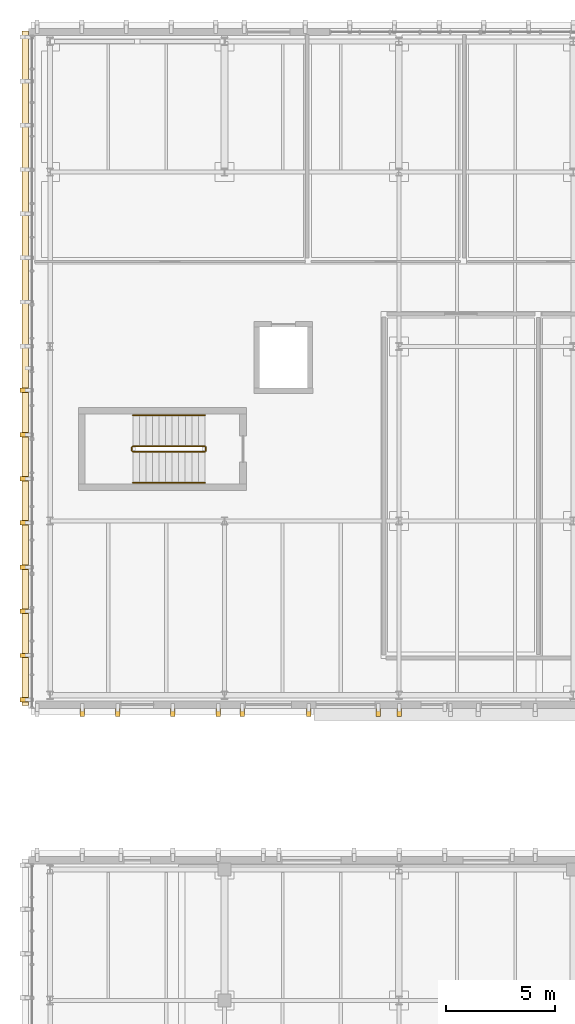
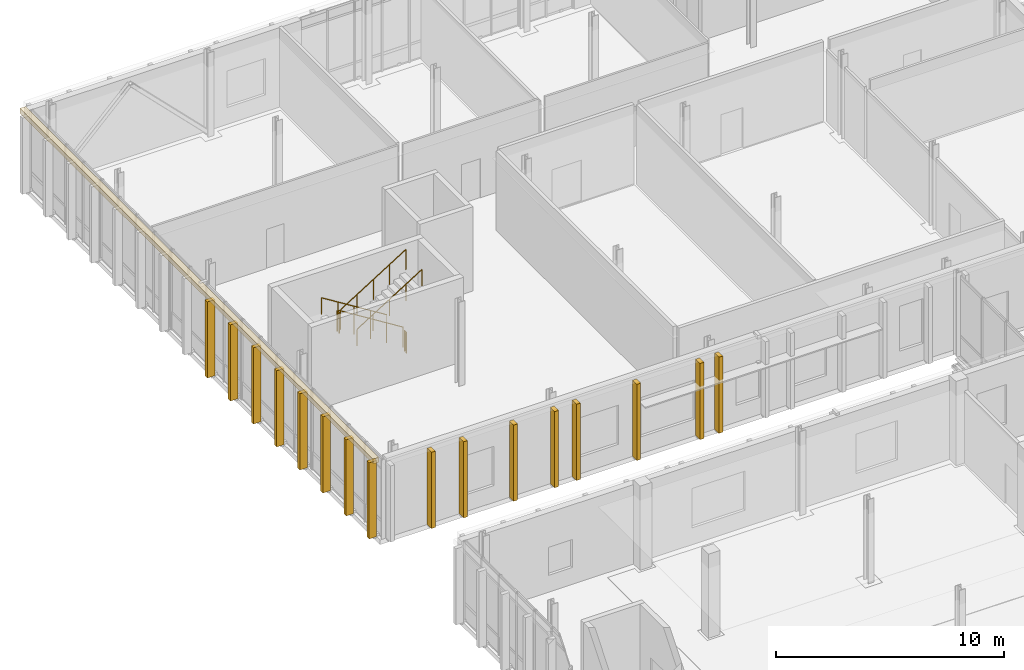
# One storey, part 80 of 86: 17 coverings, 6 railings.
"""IFC4 building model written with IfcOpenShell, lengths in metres."""

import ifcopenshell
import ifcopenshell.guid

model = None  # the IFC model being written
_history = None  # IfcOwnerHistory: only IFC2X3 demands one
_inside = {}  # id of a spatial element -> (the spatial element, [elements in it])
_under = {}  # id of a project, library or spatial element -> (it, [spatial elements below it])
_declared = {}  # id of a project -> (the project, [libraries it declares])
_typed = {}  # id of a type object -> (the type object, [elements of that type])
_made_of = {}  # id of a material, layer set ... -> (it, [elements and type objects made of it])


def new_model(schema):
    """Start an empty IFC model of exactly this schema.

    Asked for "IFC4X3", IfcOpenShell would pick the latest addendum, in which some entities
    have other attributes; the version numbers below select the first issue.
    IFC2X3 requires an IfcOwnerHistory on every rooted entity: one is made here for all.
    """
    global model, _history
    if schema == "IFC4X3":
        model = ifcopenshell.file(schema_version=(4, 3, 0, 0))
    else:
        model = ifcopenshell.file(schema=schema)
    _inside.clear()
    _under.clear()
    _declared.clear()
    _typed.clear()
    _made_of.clear()
    _history = None
    if model.schema == "IFC2X3":
        org = make("IfcOrganization", Name="unknown")
        user = make(
            "IfcPersonAndOrganization",
            ThePerson=make("IfcPerson", FamilyName="unknown"),
            TheOrganization=org,
        )
        app = make(
            "IfcApplication",
            ApplicationDeveloper=org,
            Version="unknown",
            ApplicationFullName="unknown",
            ApplicationIdentifier="unknown",
        )
        _history = make(
            "IfcOwnerHistory",
            OwningUser=user,
            OwningApplication=app,
            ChangeAction="ADDED",
            CreationDate=0,
        )
    return model


def make(cls, **values):
    """One entity of the class cls with the attributes given. An attribute that is None is left unset."""
    return model.create_entity(
        cls, **{name: value for name, value in values.items() if value is not None}
    )


def rooted(cls, **values):
    """An entity with a GlobalId (a new one), such as an element, a storey or a relation."""
    return make(cls, GlobalId=ifcopenshell.guid.new(), OwnerHistory=_history, **values)


def si_unit(unit_type, name, prefix=None):
    """IfcSIUnit, for example si_unit("LENGTHUNIT", "METRE", prefix="MILLI")."""
    return make("IfcSIUnit", UnitType=unit_type, Prefix=prefix, Name=name)


def assignment(units):
    """IfcUnitAssignment: the units of a project."""
    return None if units is None else make("IfcUnitAssignment", Units=units)


def point(xyz):
    """IfcCartesianPoint."""
    return None if xyz is None else make("IfcCartesianPoint", Coordinates=xyz)


def direction(xyz):
    """IfcDirection."""
    return None if xyz is None else make("IfcDirection", DirectionRatios=xyz)


def frame(location, z_axis=None, x_axis=None):
    """IfcAxis2Placement3D, a coordinate frame: its origin and axes. An axis left out is left unset."""
    return make(
        "IfcAxis2Placement3D",
        Location=point(location),
        Axis=direction(z_axis),
        RefDirection=direction(x_axis),
    )


def frame_2d(location, x_axis=None):
    """IfcAxis2Placement2D, a coordinate frame in the plane: its origin and x axis."""
    return make(
        "IfcAxis2Placement2D", Location=point(location), RefDirection=direction(x_axis)
    )


def origin():
    """The frame at (0, 0, 0) with its axes left unset."""
    return frame((0.0, 0.0, 0.0))


def origin_2d():
    """The frame at (0, 0) in the plane with its x axis left unset."""
    return frame_2d((0.0, 0.0))


def place(relative_to, where):
    """IfcLocalPlacement: puts the frame where relative to a parent placement (None: the world)."""
    return make(
        "IfcLocalPlacement", PlacementRelTo=relative_to, RelativePlacement=where
    )


def context(
    kind, dimensions, precision=None, world=None, true_north=None, identifier=None
):
    """IfcGeometricRepresentationContext, for example the 3D "Model" context."""
    return make(
        "IfcGeometricRepresentationContext",
        ContextIdentifier=identifier,
        ContextType=kind,
        CoordinateSpaceDimension=dimensions,
        Precision=precision,
        WorldCoordinateSystem=world,
        TrueNorth=true_north,
    )


def subcontext(parent, identifier, kind, view, scale=None):
    """IfcGeometricRepresentationSubContext, for example "Body" below "Model"."""
    return make(
        "IfcGeometricRepresentationSubContext",
        ContextIdentifier=identifier,
        ContextType=kind,
        ParentContext=parent,
        TargetScale=scale,
        TargetView=view,
    )


def project(units=None, contexts=None):
    """IfcProject with its units and contexts."""
    return rooted(
        "IfcProject",
        Name="project",
        RepresentationContexts=contexts,
        UnitsInContext=assignment(units),
    )


def spatial(cls, under=None, at=None, **own):
    """A site, building, storey or space (cls), placed at a placement, below another one or the project."""
    s = rooted(cls, ObjectPlacement=at, **own)
    if under is not None:
        _under.setdefault(under.id(), (under, []))[1].append(s)
    return s


def profile(cls, at=None, kind="AREA", **sizes):
    """A parametric profile (cls). Its sizes go by their IFC names, for example OverallWidth=200.0."""
    return make(cls, ProfileType=kind, Position=at, **sizes)


def rectangle(**sizes):
    """IfcRectangleProfileDef."""
    return profile("IfcRectangleProfileDef", **sizes)


def circle(**sizes):
    """IfcCircleProfileDef."""
    return profile("IfcCircleProfileDef", **sizes)


def extrude(swept, where, along, depth):
    """IfcExtrudedAreaSolid: the profile swept, set in the frame where, extruded along a direction by depth."""
    return make(
        "IfcExtrudedAreaSolid",
        SweptArea=swept,
        Position=where,
        ExtrudedDirection=direction(along),
        Depth=depth,
    )


def shape(context_of_items, identifier, shape_type, items):
    """IfcShapeRepresentation: the items that make up one representation, for example the "Body"."""
    return make(
        "IfcShapeRepresentation",
        ContextOfItems=context_of_items,
        RepresentationIdentifier=identifier,
        RepresentationType=shape_type,
        Items=items,
    )


def material(Name=None, Category=None):
    """IfcMaterial."""
    return make("IfcMaterial", Name=Name, Category=Category)


def layer(
    of_material, thickness, ventilated=None, Name=None, Category=None, Priority=None
):
    """IfcMaterialLayer: one layer of a wall or slab, of a material (None: an air gap)."""
    return make(
        "IfcMaterialLayer",
        Material=of_material,
        LayerThickness=thickness,
        IsVentilated=ventilated,
        Name=Name,
        Category=Category,
        Priority=Priority,
    )


def layer_set(layers, Name=None):
    """IfcMaterialLayerSet."""
    return make("IfcMaterialLayerSet", MaterialLayers=layers, LayerSetName=Name)


def made_of(thing, what):
    """Note that an element or type object is made of a material, layer set ...; save() writes the relation."""
    if what is not None:
        _made_of.setdefault(what.id(), (what, []))[1].append(thing)
    return thing


def type_object(cls, material=None, **own):
    """A type object (cls), such as IfcWallType, which elements share."""
    return made_of(rooted(cls, **own), material)


def element(
    cls,
    number,
    at=None,
    inside=None,
    cuts=None,
    type_object=None,
    material=None,
    context=None,
    identifier="Body",
    shape_type=None,
    held_by="IfcProductDefinitionShape",
    body=None,
    shapes=None,
    **own,
):
    """One element of the class cls, such as IfcWall. Its Tag is "e" and its number.

    at: its placement. inside: the storey or other place that contains it. cuts: it is an
    opening in that element (IfcRelVoidsElement). A single representation is given by context,
    identifier, shape_type and body (its items); several are given by shapes. held_by: the class
    of the entity that holds the representations. save() writes the other relations.
    """
    e = rooted(cls, Tag="e%d" % number, ObjectPlacement=at, **own)
    if body is not None:
        shapes = [shape(context, identifier, shape_type, body)]
    if shapes is not None:
        e.Representation = make(held_by, Representations=shapes)
    if inside is not None:
        _inside.setdefault(inside.id(), (inside, []))[1].append(e)
    if cuts is not None:
        rooted(
            "IfcRelVoidsElement", RelatingBuildingElement=cuts, RelatedOpeningElement=e
        )
    if type_object is not None:
        _typed.setdefault(type_object.id(), (type_object, []))[1].append(e)
    return made_of(e, material)


def aggregate(whole, parts):
    """IfcRelAggregates: a whole, such as a stair, and the parts it consists of."""
    return rooted("IfcRelAggregates", RelatingObject=whole, RelatedObjects=parts)


def save(model, path):
    """Write the relations noted so far, then the file.

    IfcRelAggregates (storeys below a building ...), IfcRelContainedInSpatialStructure (elements
    in a storey), IfcRelDefinesByType, IfcRelAssociatesMaterial and IfcRelDeclares: one each for
    every whole, place, type object, material and project.
    """
    for whole, parts in _under.values():
        aggregate(whole, parts)
    for where, things in _inside.values():
        rooted(
            "IfcRelContainedInSpatialStructure",
            RelatedElements=things,
            RelatingStructure=where,
        )
    for kind, things in _typed.values():
        rooted("IfcRelDefinesByType", RelatedObjects=things, RelatingType=kind)
    for what, things in _made_of.values():
        rooted("IfcRelAssociatesMaterial", RelatedObjects=things, RelatingMaterial=what)
    for by, libraries in _declared.values():
        rooted("IfcRelDeclares", RelatingContext=by, RelatedDefinitions=libraries)
    model.write(path)


model = new_model("IFC4")

# Units and contexts
model_context = context("Model", 3, precision=1e-05, world=origin(), true_north=direction((0.0, 1.0)))
body_context = subcontext(model_context, "Body", "Model", "MODEL_VIEW")
ifc_project = project(units=[si_unit("LENGTHUNIT", "METRE"), si_unit("AREAUNIT", "SQUARE_METRE"), si_unit("VOLUMEUNIT", "CUBIC_METRE"), si_unit("PLANEANGLEUNIT", "RADIAN"), si_unit("MASSUNIT", "GRAM", prefix="KILO")], contexts=[model_context])

# Site, building, storey
site_placement = place(None, origin())
site = spatial("IfcSite", under=ifc_project, at=site_placement, CompositionType="ELEMENT")
building_placement = place(site_placement, origin())
building = spatial("IfcBuilding", under=site, at=building_placement, Name="Cymarion Research Institute", CompositionType="ELEMENT")
storey_placement = place(building_placement, frame((0.0, 0.0, 13.800048828125)))
storey = spatial("IfcBuildingStorey", under=building, at=storey_placement, Name="L03", CompositionType="ELEMENT", Elevation=13.800048828125)

# Railings
ifc_material_1 = material(Name="Steel S355", Category="steel")
railing_type_1 = type_object("IfcRailingType", Name="PAINTED STEEL STAIR GUARDRAIL GR1 1100MM", PredefinedType="GUARDRAIL", material=ifc_material_1)
railing_1_placement = place(storey_placement, frame((13.699951171875, 96.929931640625, 0.1875)))
element("IfcRailing", 1, at=railing_1_placement, inside=storey, type_object=railing_type_1, Name="L03 ST9 stair guard 1", PredefinedType="GUARDRAIL", context=body_context, shape_type="SweptSolid", body=[
    extrude(circle(Radius=0.02392578125, at=origin_2d()), frame((0.0, 0.0, 1.076171875), z_axis=(-0.848001828478, 0.0, 0.529993300805), x_axis=(0.0, -1.0, 0.0)), (0.0, 0.0, 1.0), 3.8916015625),
    extrude(circle(Radius=0.02099609375, at=origin_2d()), origin(), (0.0, 0.0, 1.0), 1.052001953125),
    extrude(circle(Radius=0.02099609375, at=origin_2d()), frame((-0.824951171875, 0.0, 0.515625)), (0.0, 0.0, 1.0), 1.052001953125),
    extrude(circle(Radius=0.02099609375, at=origin_2d()), frame((-1.64990234375, 0.0, 1.03125)), (0.0, 0.0, 1.0), 1.052001953125),
    extrude(circle(Radius=0.02099609375, at=origin_2d()), frame((-2.47509765625, 0.0, 1.546875)), (0.0, 0.0, 1.0), 1.052001953125),
    extrude(circle(Radius=0.02099609375, at=origin_2d()), frame((-3.300048828125, 0.0, 2.0625)), (0.0, 0.0, 1.0), 1.052001953125),
])
railing_2_placement = place(storey_placement, frame((10.35009765625, 96.8798828125, 2.25)))
element("IfcRailing", 2, at=railing_2_placement, inside=storey, type_object=railing_type_1, Name="L03 ST9 stair guard 2", PredefinedType="GUARDRAIL", context=body_context, shape_type="SweptSolid", body=[
    extrude(circle(Radius=0.02392578125, at=origin_2d()), frame((0.0, 0.0, 1.076171875), z_axis=(0.0, -1.0, 0.0), x_axis=(1.0, 0.0, 0.0)), (0.0, 0.0, 1.0), 0.159912109375),
    extrude(circle(Radius=0.02099609375, at=origin_2d()), origin(), (0.0, 0.0, 1.0), 1.052001953125),
    extrude(circle(Radius=0.02099609375, at=origin_2d()), frame((0.0, -0.159912109375, 0.0)), (0.0, 0.0, 1.0), 1.052001953125),
])
railing_3_placement = place(storey_placement, frame((10.39990234375, 96.669921875, 2.4375)))
element("IfcRailing", 3, at=railing_3_placement, inside=storey, type_object=railing_type_1, Name="L03 ST9 stair guard 3", PredefinedType="GUARDRAIL", context=body_context, shape_type="SweptSolid", body=[
    extrude(circle(Radius=0.02392578125, at=origin_2d()), frame((0.0, 0.0, 1.076171875), z_axis=(0.848001828478, 0.0, 0.529993300805), x_axis=(0.0, 1.0, 0.0)), (0.0, 0.0, 1.0), 3.8916015625),
    extrude(circle(Radius=0.02099609375, at=origin_2d()), origin(), (0.0, 0.0, 1.0), 1.052001953125),
    extrude(circle(Radius=0.02099609375, at=origin_2d()), frame((0.824951171875, 0.0, 0.515625)), (0.0, 0.0, 1.0), 1.052001953125),
    extrude(circle(Radius=0.02099609375, at=origin_2d()), frame((1.64990234375, 0.0, 1.03125)), (0.0, 0.0, 1.0), 1.052001953125),
    extrude(circle(Radius=0.02099609375, at=origin_2d()), frame((2.47509765625, 0.0, 1.546875)), (0.0, 0.0, 1.0), 1.052001953125),
    extrude(circle(Radius=0.02099609375, at=origin_2d()), frame((3.300048828125, 0.0, 2.0625)), (0.0, 0.0, 1.0), 1.052001953125),
])
railing_4_placement = place(storey_placement, frame((13.75, 96.8798828125, 0.0)))
element("IfcRailing", 4, at=railing_4_placement, inside=storey, type_object=railing_type_1, Name="L03 ST9 stair guard 4", PredefinedType="GUARDRAIL", context=body_context, shape_type="SweptSolid", body=[
    extrude(circle(Radius=0.02392578125, at=origin_2d()), frame((0.0, 0.0, 1.076171875), z_axis=(0.0, -1.0, 0.0), x_axis=(1.0, 0.0, 0.0)), (0.0, 0.0, 1.0), 0.159912109375),
    extrude(circle(Radius=0.02099609375, at=origin_2d()), origin(), (0.0, 0.0, 1.0), 1.052001953125),
    extrude(circle(Radius=0.02099609375, at=origin_2d()), frame((0.0, -0.159912109375, 0.0)), (0.0, 0.0, 1.0), 1.052001953125),
])

# Coverings
ifc_material_2 = material(Name="Precast concrete C45/55 architectural white", Category="concrete")
ifc_layer_1 = layer(ifc_material_2, 0.260009765625)
ifc_layer_set_1 = layer_set([ifc_layer_1], Name="Precast concrete C45/55 architectural white")
covering_type_1 = type_object("IfcCoveringType", Name="SCULPTURAL WHITE PRECAST CONCRETE SPANDREL BROW BAND RIB2 280MM", PredefinedType="CLADDING", material=ifc_layer_set_1)
covering_placement = place(storey_placement, frame((5.4580078125, 100.5, 4.08984375), z_axis=(0.0, 0.0, 1.0), x_axis=(-1.0, 0.0, 0.0)))
element("IfcCovering", 5, at=covering_placement, inside=storey, type_object=covering_type_1, Name="L03 V5 precast spandrel brow band RIB2 #802", PredefinedType="CLADDING", context=body_context, shape_type="SweptSolid", body=[
    extrude(rectangle(XDim=0.280029296875, YDim=30.9599609375, at=origin_2d()), origin(), (0.0, 0.0, 1.0), 0.260009765625),
])
ifc_layer_2 = layer(ifc_material_2, 0.199951171875)
ifc_layer_set_2 = layer_set([ifc_layer_2], Name="Precast concrete C45/55 architectural white")
covering_type_2 = type_object("IfcCoveringType", Name="SCULPTURAL WHITE PRECAST CONCRETE VERTICAL RIB RIB1 380X200", PredefinedType="CLADDING", material=ifc_layer_set_2)
for number, where, z_axis, x_axis, name in (
    (6, (8.077880859375, 84.7080078125, 0.009765625), (0.0, 0.0, 1.0), (0.0, -1.0, 0.0), "L03 V5 sculptural precast vertical rib RIB1 #744"),
    (7, (9.699951171875, 84.7080078125, 0.009765625), (0.0, 0.0, 1.0), (0.0, -1.0, 0.0), "L03 V5 sculptural precast vertical rib RIB1 #745"),
    (8, (12.2333984375, 84.7080078125, 0.009765625), (0.0, 0.0, 1.0), (0.0, -1.0, 0.0), "L03 V5 sculptural precast vertical rib RIB1 #746"),
    (9, (14.31103515625, 84.7080078125, 0.009765625), (0.0, 0.0, 1.0), (0.0, -1.0, 0.0), "L03 V5 sculptural precast vertical rib RIB1 #747"),
    (10, (15.419921875, 84.7080078125, 0.009765625), (0.0, 0.0, 1.0), (0.0, -1.0, 0.0), "L03 V5 sculptural precast vertical rib RIB1 #748"),
    (11, (18.466796875, 84.7080078125, 0.009765625), (0.0, 0.0, 1.0), (0.0, -1.0, 0.0), "L03 V5 sculptural precast vertical rib RIB1 #749"),
    (12, (21.659912109375, 84.7080078125, 0.009765625), (0.0, 0.0, 1.0), (0.0, -1.0, 0.0), "L03 V5 sculptural precast vertical rib RIB1 #750"),
    (13, (22.622314453125, 84.7080078125, 0.009765625), (0.0, 0.0, 1.0), (0.0, -1.0, 0.0), "L03 V5 sculptural precast vertical rib RIB1 #751"),
    (14, (5.407958984375, 99.48681640625, 0.009765625), (0.0, 0.0, 1.0), (-1.0, 0.0, 0.0), "L03 V5 sculptural precast vertical rib RIB1 #811"),
    (15, (5.407958984375, 97.4599609375, 0.009765625), (0.0, 0.0, 1.0), (-1.0, 0.0, 0.0), "L03 V5 sculptural precast vertical rib RIB1 #812"),
    (16, (5.407958984375, 95.433349609375, 0.009765625), (0.0, 0.0, 1.0), (-1.0, 0.0, 0.0), "L03 V5 sculptural precast vertical rib RIB1 #813"),
    (17, (5.407958984375, 93.40673828125, 0.009765625), (0.0, 0.0, 1.0), (-1.0, 0.0, 0.0), "L03 V5 sculptural precast vertical rib RIB1 #814"),
    (18, (5.407958984375, 91.3798828125, 0.009765625), (0.0, 0.0, 1.0), (-1.0, 0.0, 0.0), "L03 V5 sculptural precast vertical rib RIB1 #815"),
    (19, (5.407958984375, 89.353271484375, 0.009765625), (0.0, 0.0, 1.0), (-1.0, 0.0, 0.0), "L03 V5 sculptural precast vertical rib RIB1 #816"),
    (20, (5.407958984375, 87.32666015625, 0.009765625), (0.0, 0.0, 1.0), (-1.0, 0.0, 0.0), "L03 V5 sculptural precast vertical rib RIB1 #817"),
    (21, (5.407958984375, 85.300048828125, 0.009765625), (0.0, 0.0, 1.0), (-1.0, 0.0, 0.0), "L03 V5 sculptural precast vertical rib RIB1 #818"),
):
    element("IfcCovering", number, at=place(storey_placement, frame(where, z_axis=z_axis, x_axis=x_axis)), inside=storey, type_object=covering_type_2, Name=name, PredefinedType="CLADDING", context=body_context, shape_type="SweptSolid", body=[
        extrude(rectangle(XDim=0.3798828125, YDim=0.199951171875, at=origin_2d()), origin(), (0.0, 0.0, 1.0), 4.074951171875),
    ])

# Railings
railing_type_2 = type_object("IfcRailingType", Name="STAINLESS STEEL STAIR HANDRAIL HR1 900MM", PredefinedType="HANDRAIL", material=ifc_material_1)
railing_5_placement = place(storey_placement, frame((13.699951171875, 98.35009765625, 0.1875)))
element("IfcRailing", 22, at=railing_5_placement, inside=storey, type_object=railing_type_2, Name="L03 ST9 stair handrail 1", PredefinedType="HANDRAIL", context=body_context, shape_type="SweptSolid", body=[
    extrude(circle(Radius=0.02392578125, at=origin_2d()), frame((0.0, 0.0, 0.8759765625), z_axis=(-0.848001828478, 0.0, 0.529993300805), x_axis=(0.0, -1.0, 0.0)), (0.0, 0.0, 1.0), 3.8916015625),
    extrude(circle(Radius=0.02099609375, at=origin_2d()), origin(), (0.0, 0.0, 1.0), 0.851806640625),
    extrude(circle(Radius=0.02099609375, at=origin_2d()), frame((-0.824951171875, 0.0, 0.515625)), (0.0, 0.0, 1.0), 0.851806640625),
    extrude(circle(Radius=0.02099609375, at=origin_2d()), frame((-1.64990234375, 0.0, 1.03125)), (0.0, 0.0, 1.0), 0.851806640625),
    extrude(circle(Radius=0.02099609375, at=origin_2d()), frame((-2.47509765625, 0.0, 1.546875)), (0.0, 0.0, 1.0), 0.851806640625),
    extrude(circle(Radius=0.02099609375, at=origin_2d()), frame((-3.300048828125, 0.0, 2.0625)), (0.0, 0.0, 1.0), 0.851806640625),
])
railing_6_placement = place(storey_placement, frame((10.39990234375, 95.25, 2.4375)))
element("IfcRailing", 23, at=railing_6_placement, inside=storey, type_object=railing_type_2, Name="L03 ST9 stair handrail 2", PredefinedType="HANDRAIL", context=body_context, shape_type="SweptSolid", body=[
    extrude(circle(Radius=0.02392578125, at=origin_2d()), frame((0.0, 0.0, 0.8759765625), z_axis=(0.848001828478, 0.0, 0.529993300805), x_axis=(0.0, 1.0, 0.0)), (0.0, 0.0, 1.0), 3.8916015625),
    extrude(circle(Radius=0.02099609375, at=origin_2d()), origin(), (0.0, 0.0, 1.0), 0.851806640625),
    extrude(circle(Radius=0.02099609375, at=origin_2d()), frame((0.824951171875, 0.0, 0.515625)), (0.0, 0.0, 1.0), 0.851806640625),
    extrude(circle(Radius=0.02099609375, at=origin_2d()), frame((1.64990234375, 0.0, 1.03125)), (0.0, 0.0, 1.0), 0.851806640625),
    extrude(circle(Radius=0.02099609375, at=origin_2d()), frame((2.47509765625, 0.0, 1.546875)), (0.0, 0.0, 1.0), 0.851806640625),
    extrude(circle(Radius=0.02099609375, at=origin_2d()), frame((3.300048828125, 0.0, 2.0625)), (0.0, 0.0, 1.0), 0.851806640625),
])

save(model, "model.ifc")
